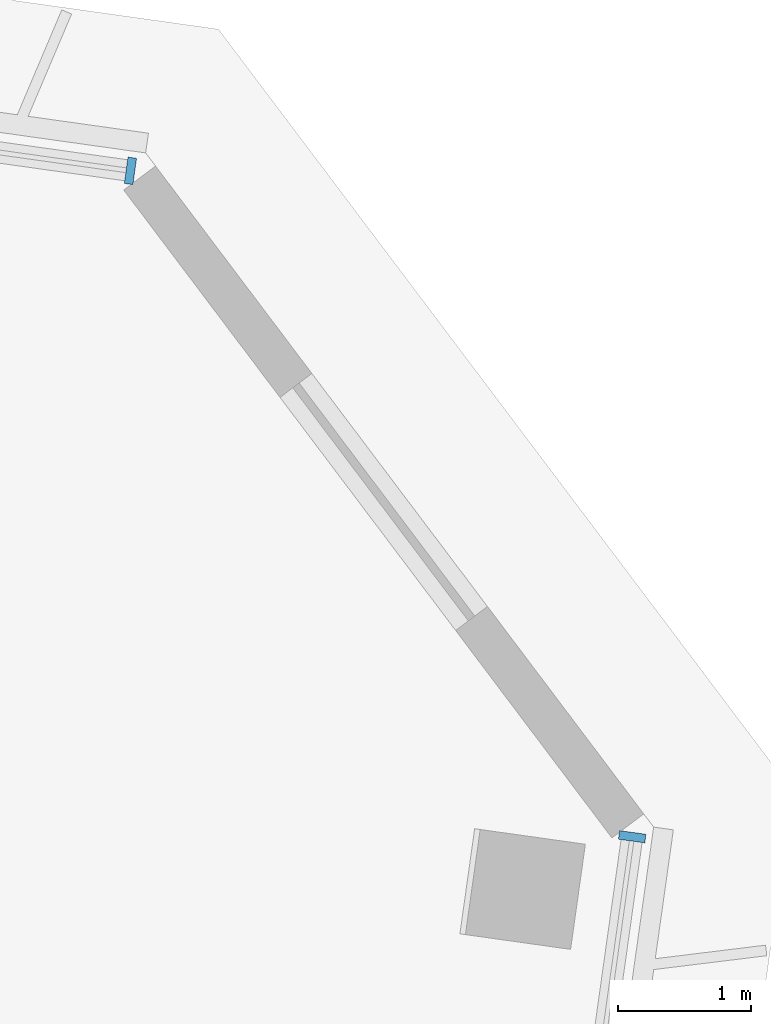
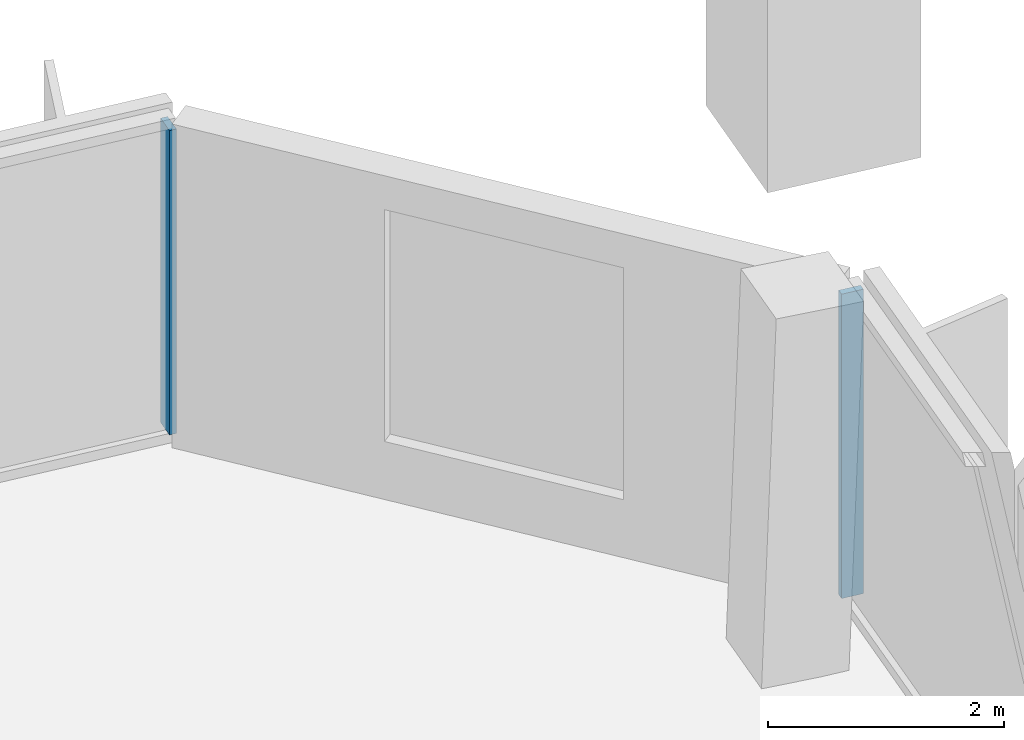
# One storey, part 8 of 26: 2 members, 2 elements without a shape of their own.
"""IFC4 building model written with IfcOpenShell, lengths in metres."""

from ifc_helpers import new_model, si_unit, direction, frame, origin, origin_2d, place, context, subcontext, project, spatial, rectangle, extrude, material, material_profile, profile_set, type_object, element, aggregate, save


model = new_model("IFC4")

# Units and contexts
model_context = context("Model", 3, precision=1e-05, world=origin(), true_north=direction((0.0, 1.0)))
body_context = subcontext(model_context, "Body", "Model", "MODEL_VIEW")
ifc_project = project(units=[si_unit("LENGTHUNIT", "METRE"), si_unit("AREAUNIT", "SQUARE_METRE"), si_unit("VOLUMEUNIT", "CUBIC_METRE"), si_unit("PLANEANGLEUNIT", "RADIAN"), si_unit("MASSUNIT", "GRAM", prefix="KILO")], contexts=[model_context])

# Site, building, storey
site_placement = place(None, origin())
site = spatial("IfcSite", under=ifc_project, at=site_placement, CompositionType="ELEMENT")
building_placement = place(site_placement, origin())
building = spatial("IfcBuilding", under=site, at=building_placement, Name="Mirante Cascada Hotel Towers", CompositionType="ELEMENT")
storey_placement = place(building_placement, frame((0.0, 0.0, 168.8)))
storey = spatial("IfcBuildingStorey", under=building, at=storey_placement, Name="L39", CompositionType="ELEMENT", Elevation=168.8)

# Curtain wall, member
ifc_material_1 = material(Name="Aluminium mullion and transom frame with clear laminated glass", Category="aluminium")
curtain_wall_type_1 = type_object("IfcCurtainWallType", Name="Ribbon curtain wall ECW1", PredefinedType="NOTDEFINED", material=ifc_material_1)
curtain_wall_1_placement = place(storey_placement, origin())
curtain_wall_1 = element("IfcCurtainWall", 1, at=curtain_wall_1_placement, inside=storey, type_object=curtain_wall_type_1, Name="Front ribbon wall T1 L39", PredefinedType="NOTDEFINED")
ifc_material_2 = material(Name="Anodised aluminium extrusion", Category="aluminium")
ifc_material_profile_1 = material_profile(ifc_material_2, rectangle(XDim=0.2, YDim=0.065, at=origin_2d()), Name="ECW1 MULLION 65x200")
ifc_profile_set_1 = profile_set([ifc_material_profile_1], Name="Anodised aluminium extrusion")
member_type_1 = type_object("IfcMemberType", Name="ECW1 mullion 65x200", PredefinedType="MULLION", material=ifc_profile_set_1)
member_1_placement = place(storey_placement, frame((-31.5921, 17.259, 0.1), z_axis=(0.0, 0.0, 1.0), x_axis=(0.1391731, 0.9902681, 0.0)))
member_1 = element("IfcMember", 2, at=member_1_placement, type_object=member_type_1, Name="ECW1 mullion 13", PredefinedType="MULLION", context=body_context, shape_type="SweptSolid", body=[
    extrude(rectangle(XDim=0.2, YDim=0.065, at=origin_2d()), origin(), (0.0, 0.0, 1.0), 3.15),
])
aggregate(curtain_wall_1, [member_1])

ifc_material_3 = material(Name="Aluminium mullion and transom frame with clear laminated glass", Category="aluminium")
curtain_wall_type_2 = type_object("IfcCurtainWallType", Name="End ribbon curtain wall ECW2", PredefinedType="NOTDEFINED", material=ifc_material_3)
curtain_wall_2_placement = place(storey_placement, origin())
curtain_wall_2 = element("IfcCurtainWall", 3, at=curtain_wall_2_placement, inside=storey, type_object=curtain_wall_type_2, Name="Inner end wall T1 L39", PredefinedType="NOTDEFINED")
ifc_material_4 = material(Name="Anodised aluminium extrusion", Category="aluminium")
ifc_material_profile_2 = material_profile(ifc_material_4, rectangle(XDim=0.2, YDim=0.065, at=origin_2d()), Name="ECW2 MULLION 65x200")
ifc_profile_set_2 = profile_set([ifc_material_profile_2], Name="Anodised aluminium extrusion")
member_type_2 = type_object("IfcMemberType", Name="ECW2 mullion 65x200", PredefinedType="MULLION", material=ifc_profile_set_2)
member_2_placement = place(storey_placement, frame((-27.8093, 12.2391, 0.1), z_axis=(0.0, 0.0, 1.0), x_axis=(0.9902681, -0.1391731, 0.0)))
member_2 = element("IfcMember", 4, at=member_2_placement, type_object=member_type_2, Name="ECW2 mullion 1", PredefinedType="MULLION", context=body_context, shape_type="SweptSolid", body=[
    extrude(rectangle(XDim=0.2, YDim=0.065, at=origin_2d()), origin(), (0.0, 0.0, 1.0), 3.15),
])
aggregate(curtain_wall_2, [member_2])

save(model, "model.ifc")
